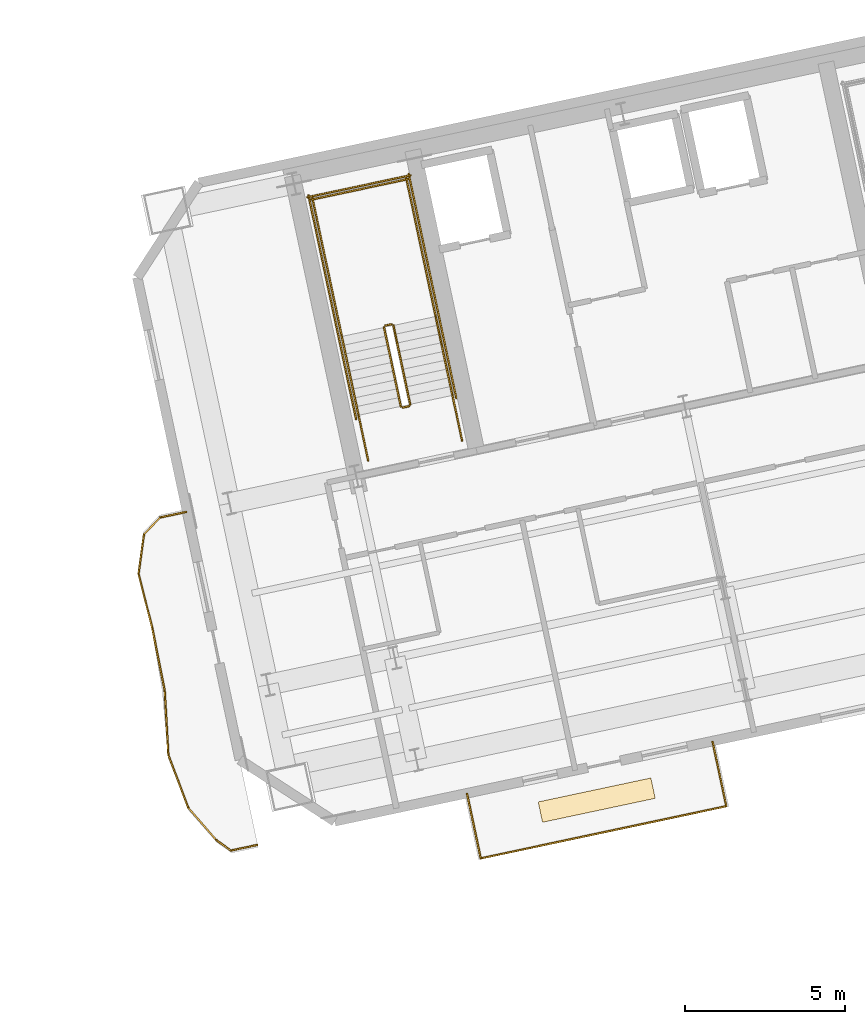
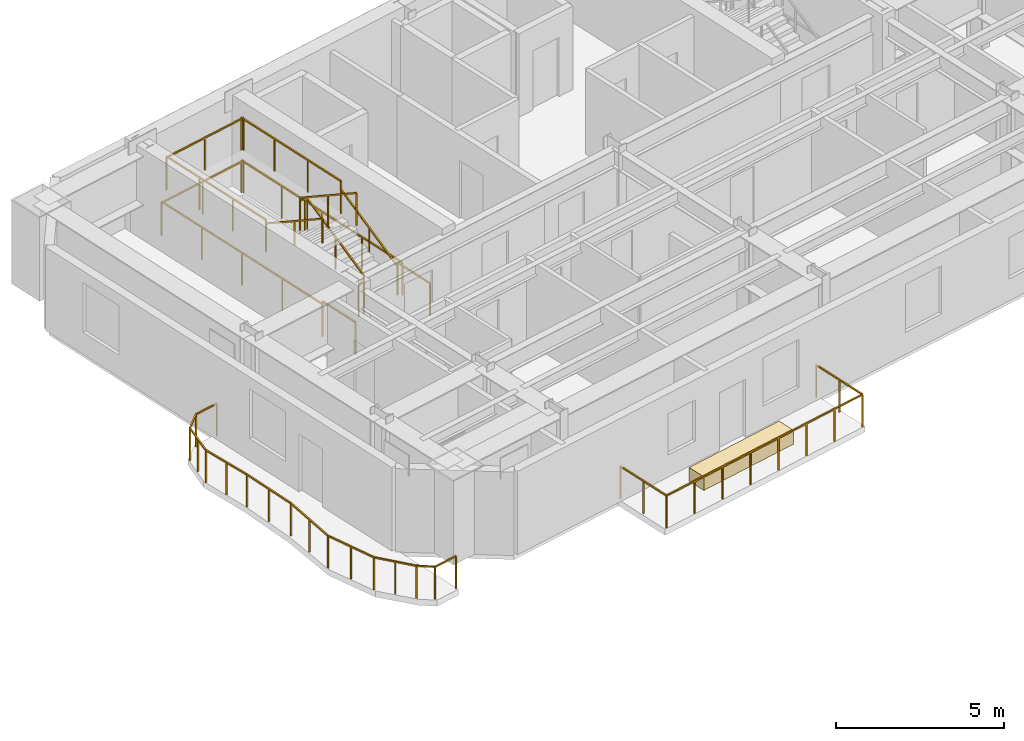
# One storey, part 15 of 16: 27 railings, 1 covering.
"""IFC4 building model written with IfcOpenShell, lengths in metres."""

from ifc_helpers import new_model, si_unit, direction, frame, origin, origin_2d, place, context, subcontext, project, spatial, rectangle, extrude, material, layer, layer_set, type_object, element, save


model = new_model("IFC4")

# Units and contexts
model_context = context("Model", 3, precision=1e-05, world=origin(), true_north=direction((0.0, 1.0)))
body_context = subcontext(model_context, "Body", "Model", "MODEL_VIEW")
ifc_project = project(units=[si_unit("LENGTHUNIT", "METRE"), si_unit("AREAUNIT", "SQUARE_METRE"), si_unit("VOLUMEUNIT", "CUBIC_METRE"), si_unit("PLANEANGLEUNIT", "RADIAN"), si_unit("MASSUNIT", "GRAM", prefix="KILO")], contexts=[model_context])

# Site, building, storey
site_placement = place(None, origin())
site = spatial("IfcSite", under=ifc_project, at=site_placement, CompositionType="ELEMENT")
building_placement = place(site_placement, origin())
building = spatial("IfcBuilding", under=site, at=building_placement, Name="Haevon Station Towers", CompositionType="ELEMENT")
storey_placement = place(building_placement, frame((0.0, 0.0, 172.5)))
storey = spatial("IfcBuildingStorey", under=building, at=storey_placement, Name="L47", CompositionType="ELEMENT", Elevation=172.5)

# Railings
ifc_material_1 = material(Name="Steel S355", Category="steel")
railing_type_1 = type_object("IfcRailingType", Name="GRD-EXT1200", PredefinedType="GUARDRAIL", material=ifc_material_1)
railing_1_placement = place(storey_placement, frame((93.44384765625, 36.33154296875, 0.0)))
element("IfcRailing", 1, at=railing_1_placement, inside=storey, type_object=railing_type_1, Name="L47 Perimeter Guardrail 1", PredefinedType="GUARDRAIL", context=body_context, shape_type="SweptSolid", body=[
    extrude(rectangle(XDim=0.048095703125, YDim=0.048095703125, at=origin_2d()), frame((0.0, 0.0, 1.17578125), z_axis=(-0.977691431104, -0.210046341426, 0.0), x_axis=(0.210046341426, -0.977691431104, 0.0)), (0.0, 0.0, 1.0), 0.838134765625),
    extrude(rectangle(XDim=0.0419921875, YDim=0.0419921875, at=origin_2d()), origin(), (0.0, 0.0, 1.0), 1.15185546875),
    extrude(rectangle(XDim=0.0419921875, YDim=0.0419921875, at=origin_2d()), frame((-0.8193359375, -0.176025390625, 0.0)), (0.0, 0.0, 1.0), 1.15185546875),
])
railing_2_placement = place(storey_placement, frame((92.62451171875, 36.155517578125, 0.0)))
element("IfcRailing", 2, at=railing_2_placement, inside=storey, type_object=railing_type_1, Name="L47 Perimeter Guardrail 2", PredefinedType="GUARDRAIL", context=body_context, shape_type="SweptSolid", body=[
    extrude(rectangle(XDim=0.048095703125, YDim=0.048095703125, at=origin_2d()), frame((0.0, 0.0, 1.17578125), z_axis=(-0.691397132997, -0.722474916162, 0.0), x_axis=(0.722474916162, -0.691397132997, 0.0)), (0.0, 0.0, 1.0), 0.73046875),
    extrude(rectangle(XDim=0.0419921875, YDim=0.0419921875, at=origin_2d()), origin(), (0.0, 0.0, 1.0), 1.15185546875),
    extrude(rectangle(XDim=0.0419921875, YDim=0.0419921875, at=origin_2d()), frame((-0.505126953125, -0.52783203125, 0.0)), (0.0, 0.0, 1.0), 1.15185546875),
])
railing_3_placement = place(storey_placement, frame((92.119384765625, 35.627685546875, 0.0)))
element("IfcRailing", 3, at=railing_3_placement, inside=storey, type_object=railing_type_1, Name="L47 Perimeter Guardrail 3", PredefinedType="GUARDRAIL", context=body_context, shape_type="SweptSolid", body=[
    extrude(rectangle(XDim=0.048095703125, YDim=0.048095703125, at=origin_2d()), frame((0.0, 0.0, 1.17578125), z_axis=(-0.134402916538, -0.990926766228, 0.0), x_axis=(0.990926766228, -0.134402916538, 0.0)), (0.0, 0.0, 1.0), 1.242431640625),
    extrude(rectangle(XDim=0.0419921875, YDim=0.0419921875, at=origin_2d()), origin(), (0.0, 0.0, 1.0), 1.15185546875),
    extrude(rectangle(XDim=0.0419921875, YDim=0.0419921875, at=origin_2d()), frame((-0.08349609375, -0.61572265625, 0.0)), (0.0, 0.0, 1.0), 1.15185546875),
    extrude(rectangle(XDim=0.0419921875, YDim=0.0419921875, at=origin_2d()), frame((-0.1669921875, -1.231201171875, 0.0)), (0.0, 0.0, 1.0), 1.15185546875),
])
railing_4_placement = place(storey_placement, frame((91.952392578125, 34.396484375, 0.0)))
element("IfcRailing", 4, at=railing_4_placement, inside=storey, type_object=railing_type_1, Name="L47 Perimeter Guardrail 4", PredefinedType="GUARDRAIL", context=body_context, shape_type="SweptSolid", body=[
    extrude(rectangle(XDim=0.048095703125, YDim=0.048095703125, at=origin_2d()), frame((0.0, 0.0, 1.17578125), z_axis=(0.243814635362, -0.969821851467, 0.0), x_axis=(0.969821851467, 0.243814635362, 0.0)), (0.0, 0.0, 1.0), 1.751220703125),
    extrude(rectangle(XDim=0.0419921875, YDim=0.0419921875, at=origin_2d()), origin(), (0.0, 0.0, 1.0), 1.15185546875),
    extrude(rectangle(XDim=0.0419921875, YDim=0.0419921875, at=origin_2d()), frame((0.21337890625, -0.84912109375, 0.0)), (0.0, 0.0, 1.0), 1.15185546875),
    extrude(rectangle(XDim=0.0419921875, YDim=0.0419921875, at=origin_2d()), frame((0.427001953125, -1.698486328125, 0.0)), (0.0, 0.0, 1.0), 1.15185546875),
])
railing_5_placement = place(storey_placement, frame((92.37939453125, 32.697998046875, 0.0)))
element("IfcRailing", 5, at=railing_5_placement, inside=storey, type_object=railing_type_1, Name="L47 Perimeter Guardrail 5", PredefinedType="GUARDRAIL", context=body_context, shape_type="SweptSolid", body=[
    extrude(rectangle(XDim=0.048095703125, YDim=0.048095703125, at=origin_2d()), frame((0.0, 0.0, 1.17578125), z_axis=(0.195360913035, -0.980731417697, 0.0), x_axis=(0.980731417697, 0.195360913035, 0.0)), (0.0, 0.0, 1.0), 1.989501953125),
    extrude(rectangle(XDim=0.0419921875, YDim=0.0419921875, at=origin_2d()), origin(), (0.0, 0.0, 1.0), 1.15185546875),
    extrude(rectangle(XDim=0.0419921875, YDim=0.0419921875, at=origin_2d()), frame((0.1943359375, -0.9755859375, 0.0)), (0.0, 0.0, 1.0), 1.15185546875),
    extrude(rectangle(XDim=0.0419921875, YDim=0.0419921875, at=origin_2d()), frame((0.388671875, -1.951171875, 0.0)), (0.0, 0.0, 1.0), 1.15185546875),
])
railing_6_placement = place(storey_placement, frame((92.76806640625, 30.746826171875, 0.0)))
element("IfcRailing", 6, at=railing_6_placement, inside=storey, type_object=railing_type_1, Name="L47 Perimeter Guardrail 6", PredefinedType="GUARDRAIL", context=body_context, shape_type="SweptSolid", body=[
    extrude(rectangle(XDim=0.048095703125, YDim=0.048095703125, at=origin_2d()), frame((0.0, 0.0, 1.17578125), z_axis=(0.056904973514, -0.998379599145, 0.0), x_axis=(0.998379599145, 0.056904973514, 0.0)), (0.0, 0.0, 1.0), 2.016357421875),
    extrude(rectangle(XDim=0.0419921875, YDim=0.0419921875, at=origin_2d()), origin(), (0.0, 0.0, 1.0), 1.15185546875),
    extrude(rectangle(XDim=0.0419921875, YDim=0.0419921875, at=origin_2d()), frame((0.057373046875, -1.006591796875, 0.0)), (0.0, 0.0, 1.0), 1.15185546875),
    extrude(rectangle(XDim=0.0419921875, YDim=0.0419921875, at=origin_2d()), frame((0.11474609375, -2.01318359375, 0.0)), (0.0, 0.0, 1.0), 1.15185546875),
])
railing_7_placement = place(storey_placement, frame((92.8828125, 28.733642578125, 0.0)))
element("IfcRailing", 7, at=railing_7_placement, inside=storey, type_object=railing_type_1, Name="L47 Perimeter Guardrail 7", PredefinedType="GUARDRAIL", context=body_context, shape_type="SweptSolid", body=[
    extrude(rectangle(XDim=0.048095703125, YDim=0.048095703125, at=origin_2d()), frame((0.0, 0.0, 1.17578125), z_axis=(0.353500001833, -0.935434524007, 0.0), x_axis=(0.935434524007, 0.353500001833, 0.0)), (0.0, 0.0, 1.0), 1.7666015625),
    extrude(rectangle(XDim=0.0419921875, YDim=0.0419921875, at=origin_2d()), origin(), (0.0, 0.0, 1.0), 1.15185546875),
    extrude(rectangle(XDim=0.0419921875, YDim=0.0419921875, at=origin_2d()), frame((0.312255859375, -0.826171875, 0.0)), (0.0, 0.0, 1.0), 1.15185546875),
    extrude(rectangle(XDim=0.0419921875, YDim=0.0419921875, at=origin_2d()), frame((0.62451171875, -1.652587890625, 0.0)), (0.0, 0.0, 1.0), 1.15185546875),
])
railing_8_placement = place(storey_placement, frame((93.50732421875, 27.0810546875, 0.0)))
element("IfcRailing", 8, at=railing_8_placement, inside=storey, type_object=railing_type_1, Name="L47 Perimeter Guardrail 8", PredefinedType="GUARDRAIL", context=body_context, shape_type="SweptSolid", body=[
    extrude(rectangle(XDim=0.048095703125, YDim=0.048095703125, at=origin_2d()), frame((0.0, 0.0, 1.17578125), z_axis=(0.654874885336, -0.755737311872, 0.0), x_axis=(0.755737311872, 0.654874885336, 0.0)), (0.0, 0.0, 1.0), 1.336181640625),
    extrude(rectangle(XDim=0.0419921875, YDim=0.0419921875, at=origin_2d()), origin(), (0.0, 0.0, 1.0), 1.15185546875),
    extrude(rectangle(XDim=0.0419921875, YDim=0.0419921875, at=origin_2d()), frame((0.4375, -0.5048828125, 0.0)), (0.0, 0.0, 1.0), 1.15185546875),
    extrude(rectangle(XDim=0.0419921875, YDim=0.0419921875, at=origin_2d()), frame((0.875, -1.009765625, 0.0)), (0.0, 0.0, 1.0), 1.15185546875),
])
railing_9_placement = place(storey_placement, frame((94.38232421875, 26.0712890625, 0.0)))
element("IfcRailing", 9, at=railing_9_placement, inside=storey, type_object=railing_type_1, Name="L47 Perimeter Guardrail 9", PredefinedType="GUARDRAIL", context=body_context, shape_type="SweptSolid", body=[
    extrude(rectangle(XDim=0.048095703125, YDim=0.048095703125, at=origin_2d()), frame((0.0, 0.0, 1.17578125), z_axis=(0.814560283211, -0.580078912748, 0.0), x_axis=(0.580078912748, 0.814560283211, 0.0)), (0.0, 0.0, 1.0), 0.55810546875),
    extrude(rectangle(XDim=0.0419921875, YDim=0.0419921875, at=origin_2d()), origin(), (0.0, 0.0, 1.0), 1.15185546875),
    extrude(rectangle(XDim=0.0419921875, YDim=0.0419921875, at=origin_2d()), frame((0.45458984375, -0.32373046875, 0.0)), (0.0, 0.0, 1.0), 1.15185546875),
])
railing_10_placement = place(storey_placement, frame((94.8369140625, 25.74755859375, 0.0)))
element("IfcRailing", 10, at=railing_10_placement, inside=storey, type_object=railing_type_1, Name="L47 Perimeter Guardrail 10", PredefinedType="GUARDRAIL", context=body_context, shape_type="SweptSolid", body=[
    extrude(rectangle(XDim=0.048095703125, YDim=0.048095703125, at=origin_2d()), frame((0.0, 0.0, 1.17578125), z_axis=(0.978617737227, 0.20568744343, 0.0), x_axis=(-0.20568744343, 0.978617737227, 0.0)), (0.0, 0.0, 1.0), 0.837890625),
    extrude(rectangle(XDim=0.0419921875, YDim=0.0419921875, at=origin_2d()), origin(), (0.0, 0.0, 1.0), 1.15185546875),
    extrude(rectangle(XDim=0.0419921875, YDim=0.0419921875, at=origin_2d()), frame((0.820068359375, 0.17236328125, 0.0)), (0.0, 0.0, 1.0), 1.15185546875),
])
railing_11_placement = place(storey_placement, frame((102.6474609375, 25.501708984375, 0.0)))
element("IfcRailing", 11, at=railing_11_placement, inside=storey, type_object=railing_type_1, Name="L47 Perimeter Guardrail 1", PredefinedType="GUARDRAIL", context=body_context, shape_type="SweptSolid", body=[
    extrude(rectangle(XDim=0.048095703125, YDim=0.048095703125, at=origin_2d()), frame((0.0, 0.0, 1.17578125), z_axis=(0.978148093399, 0.207909372996, 0.0), x_axis=(-0.207909372996, 0.978148093399, 0.0)), (0.0, 0.0, 1.0), 7.84521484375),
    extrude(rectangle(XDim=0.0419921875, YDim=0.0419921875, at=origin_2d()), origin(), (0.0, 0.0, 1.0), 1.15185546875),
    extrude(rectangle(XDim=0.0419921875, YDim=0.0419921875, at=origin_2d()), frame((1.09619140625, 0.23291015625, 0.0)), (0.0, 0.0, 1.0), 1.15185546875),
    extrude(rectangle(XDim=0.0419921875, YDim=0.0419921875, at=origin_2d()), frame((2.192626953125, 0.466064453125, 0.0)), (0.0, 0.0, 1.0), 1.15185546875),
    extrude(rectangle(XDim=0.0419921875, YDim=0.0419921875, at=origin_2d()), frame((3.288818359375, 0.698974609375, 0.0)), (0.0, 0.0, 1.0), 1.15185546875),
    extrude(rectangle(XDim=0.0419921875, YDim=0.0419921875, at=origin_2d()), frame((4.385009765625, 0.93212890625, 0.0)), (0.0, 0.0, 1.0), 1.15185546875),
    extrude(rectangle(XDim=0.0419921875, YDim=0.0419921875, at=origin_2d()), frame((5.481201171875, 1.1650390625, 0.0)), (0.0, 0.0, 1.0), 1.15185546875),
    extrude(rectangle(XDim=0.0419921875, YDim=0.0419921875, at=origin_2d()), frame((6.57763671875, 1.398193359375, 0.0)), (0.0, 0.0, 1.0), 1.15185546875),
    extrude(rectangle(XDim=0.0419921875, YDim=0.0419921875, at=origin_2d()), frame((7.673828125, 1.631103515625, 0.0)), (0.0, 0.0, 1.0), 1.15185546875),
])
railing_12_placement = place(storey_placement, frame((110.3212890625, 27.1328125, 0.0)))
element("IfcRailing", 12, at=railing_12_placement, inside=storey, type_object=railing_type_1, Name="L47 Perimeter Guardrail 2", PredefinedType="GUARDRAIL", context=body_context, shape_type="SweptSolid", body=[
    extrude(rectangle(XDim=0.048095703125, YDim=0.048095703125, at=origin_2d()), frame((0.0, 0.0, 1.17578125), z_axis=(-0.207962507169, 0.978136798005, 0.0), x_axis=(-0.978136798005, -0.207962507169, 0.0)), (0.0, 0.0, 1.0), 2.054443359375),
    extrude(rectangle(XDim=0.0419921875, YDim=0.0419921875, at=origin_2d()), origin(), (0.0, 0.0, 1.0), 1.15185546875),
    extrude(rectangle(XDim=0.0419921875, YDim=0.0419921875, at=origin_2d()), frame((-0.213623046875, 1.0048828125, 0.0)), (0.0, 0.0, 1.0), 1.15185546875),
    extrude(rectangle(XDim=0.0419921875, YDim=0.0419921875, at=origin_2d()), frame((-0.42724609375, 2.009521484375, 0.0)), (0.0, 0.0, 1.0), 1.15185546875),
])
railing_13_placement = place(storey_placement, frame((102.220458984375, 27.51123046875, 0.0)))
element("IfcRailing", 13, at=railing_13_placement, inside=storey, type_object=railing_type_1, Name="L47 Perimeter Guardrail 3", PredefinedType="GUARDRAIL", context=body_context, shape_type="SweptSolid", body=[
    extrude(rectangle(XDim=0.048095703125, YDim=0.048095703125, at=origin_2d()), frame((0.0, 0.0, 1.17578125), z_axis=(0.207848806692, -0.978160965055, 0.0), x_axis=(0.978160965055, 0.207848806692, 0.0)), (0.0, 0.0, 1.0), 2.054443359375),
    extrude(rectangle(XDim=0.0419921875, YDim=0.0419921875, at=origin_2d()), origin(), (0.0, 0.0, 1.0), 1.15185546875),
    extrude(rectangle(XDim=0.0419921875, YDim=0.0419921875, at=origin_2d()), frame((0.21337890625, -1.0048828125, 0.0)), (0.0, 0.0, 1.0), 1.15185546875),
    extrude(rectangle(XDim=0.0419921875, YDim=0.0419921875, at=origin_2d()), frame((0.427001953125, -2.009521484375, 0.0)), (0.0, 0.0, 1.0), 1.15185546875),
])
railing_type_2 = type_object("IfcRailingType", Name="GRD-STR1200", PredefinedType="GUARDRAIL", material=ifc_material_1)
railing_14_placement = place(storey_placement, frame((100.44140625, 39.69287109375, 0.1650390625)))
element("IfcRailing", 14, at=railing_14_placement, inside=storey, type_object=railing_type_2, Name="L47 ST3 Stair Guard 1", PredefinedType="GUARDRAIL", context=body_context, shape_type="SweptSolid", body=[
    extrude(rectangle(XDim=0.048095703125, YDim=0.048095703125, at=origin_2d()), frame((0.0, 0.0, 1.17578125), z_axis=(-0.179128856099, 0.842723639875, 0.507670877349), x_axis=(-0.978147030254, -0.207914374695, 0.0)), (0.0, 0.0, 1.0), 2.9248046875),
    extrude(rectangle(XDim=0.0419921875, YDim=0.0419921875, at=origin_2d()), origin(), (0.0, 0.0, 1.0), 1.15185546875),
    extrude(rectangle(XDim=0.0419921875, YDim=0.0419921875, at=origin_2d()), frame((-0.261962890625, 1.232421875, 0.742431640625)), (0.0, 0.0, 1.0), 1.15185546875),
    extrude(rectangle(XDim=0.0419921875, YDim=0.0419921875, at=origin_2d()), frame((-0.52392578125, 2.46484375, 1.48486328125)), (0.0, 0.0, 1.0), 1.15185546875),
])
railing_15_placement = place(storey_placement, frame((99.858154296875, 42.1962890625, 1.64990234375)))
element("IfcRailing", 15, at=railing_15_placement, inside=storey, type_object=railing_type_2, Name="L47 ST3 Stair Guard 2", PredefinedType="GUARDRAIL", context=body_context, shape_type="SweptSolid", body=[
    extrude(rectangle(XDim=0.048095703125, YDim=0.048095703125, at=origin_2d()), frame((0.0, 0.0, 1.17578125), z_axis=(-0.977962931203, -0.208778603291, 0.0), x_axis=(0.208778603291, -0.977962931203, 0.0)), (0.0, 0.0, 1.0), 0.199951171875),
    extrude(rectangle(XDim=0.0419921875, YDim=0.0419921875, at=origin_2d()), origin(), (0.0, 0.0, 1.0), 1.15185546875),
    extrude(rectangle(XDim=0.0419921875, YDim=0.0419921875, at=origin_2d()), frame((-0.195556640625, -0.041748046875, 0.0)), (0.0, 0.0, 1.0), 1.15185546875),
])
railing_16_placement = place(storey_placement, frame((101.238037109375, 42.4384765625, 1.64990234375)))
element("IfcRailing", 16, at=railing_16_placement, inside=storey, type_object=railing_type_2, Name="L47 ST3 Stair Guard 3", PredefinedType="GUARDRAIL", context=body_context, shape_type="SweptSolid", body=[
    extrude(rectangle(XDim=0.048095703125, YDim=0.048095703125, at=origin_2d()), frame((0.0, 0.0, 1.17578125), z_axis=(-0.20794048909, 0.978141479029, 0.0), x_axis=(-0.978141479029, -0.20794048909, 0.0)), (0.0, 0.0, 1.0), 4.429931640625),
    extrude(rectangle(XDim=0.0419921875, YDim=0.0419921875, at=origin_2d()), origin(), (0.0, 0.0, 1.0), 1.15185546875),
    extrude(rectangle(XDim=0.0419921875, YDim=0.0419921875, at=origin_2d()), frame((-0.30712890625, 1.4443359375, 0.0)), (0.0, 0.0, 1.0), 1.15185546875),
    extrude(rectangle(XDim=0.0419921875, YDim=0.0419921875, at=origin_2d()), frame((-0.614013671875, 2.888671875, 0.0)), (0.0, 0.0, 1.0), 1.15185546875),
    extrude(rectangle(XDim=0.0419921875, YDim=0.0419921875, at=origin_2d()), frame((-0.921142578125, 4.3330078125, 0.0)), (0.0, 0.0, 1.0), 1.15185546875),
])
railing_17_placement = place(storey_placement, frame((98.303466796875, 41.814697265625, 1.64990234375)))
element("IfcRailing", 17, at=railing_17_placement, inside=storey, type_object=railing_type_2, Name="L47 ST3 Stair Guard 4", PredefinedType="GUARDRAIL", context=body_context, shape_type="SweptSolid", body=[
    extrude(rectangle(XDim=0.048095703125, YDim=0.048095703125, at=origin_2d()), frame((0.0, 0.0, 1.17578125), z_axis=(-0.207876551949, 0.978155069071, 0.0), x_axis=(-0.978155069071, -0.207876551949, 0.0)), (0.0, 0.0, 1.0), 4.429931640625),
    extrude(rectangle(XDim=0.0419921875, YDim=0.0419921875, at=origin_2d()), origin(), (0.0, 0.0, 1.0), 1.15185546875),
    extrude(rectangle(XDim=0.0419921875, YDim=0.0419921875, at=origin_2d()), frame((-0.306884765625, 1.4443359375, 0.0)), (0.0, 0.0, 1.0), 1.15185546875),
    extrude(rectangle(XDim=0.0419921875, YDim=0.0419921875, at=origin_2d()), frame((-0.614013671875, 2.888916015625, 0.0)), (0.0, 0.0, 1.0), 1.15185546875),
    extrude(rectangle(XDim=0.0419921875, YDim=0.0419921875, at=origin_2d()), frame((-0.9208984375, 4.333251953125, 0.0)), (0.0, 0.0, 1.0), 1.15185546875),
])
railing_18_placement = place(storey_placement, frame((100.376220703125, 46.733154296875, 1.64990234375)))
element("IfcRailing", 18, at=railing_18_placement, inside=storey, type_object=railing_type_2, Name="L47 ST3 Stair Guard 5", PredefinedType="GUARDRAIL", context=body_context, shape_type="SweptSolid", body=[
    extrude(rectangle(XDim=0.048095703125, YDim=0.048095703125, at=origin_2d()), frame((0.0, 0.0, 1.17578125), z_axis=(-0.978146839882, -0.207915270313, 0.0), x_axis=(0.207915270313, -0.978146839882, 0.0)), (0.0, 0.0, 1.0), 3.099853515625),
    extrude(rectangle(XDim=0.0419921875, YDim=0.0419921875, at=origin_2d()), origin(), (0.0, 0.0, 1.0), 1.15185546875),
    extrude(rectangle(XDim=0.0419921875, YDim=0.0419921875, at=origin_2d()), frame((-1.51611328125, -0.322265625, 0.0)), (0.0, 0.0, 1.0), 1.15185546875),
    extrude(rectangle(XDim=0.0419921875, YDim=0.0419921875, at=origin_2d()), frame((-3.0322265625, -0.64453125, 0.0)), (0.0, 0.0, 1.0), 1.15185546875),
])
railing_19_placement = place(storey_placement, frame((99.6240234375, 42.09521484375, 1.81494140625)))
element("IfcRailing", 19, at=railing_19_placement, inside=storey, type_object=railing_type_2, Name="L47 ST3 Stair Guard 6", PredefinedType="GUARDRAIL", context=body_context, shape_type="SweptSolid", body=[
    extrude(rectangle(XDim=0.048095703125, YDim=0.048095703125, at=origin_2d()), frame((0.0, 0.0, 1.17578125), z_axis=(0.179121265225, -0.842687928106, 0.507732831485), x_axis=(0.978147030254, 0.207914374695, 0.0)), (0.0, 0.0, 1.0), 2.925048828125),
    extrude(rectangle(XDim=0.0419921875, YDim=0.0419921875, at=origin_2d()), origin(), (0.0, 0.0, 1.0), 1.15185546875),
    extrude(rectangle(XDim=0.0419921875, YDim=0.0419921875, at=origin_2d()), frame((0.261962890625, -1.232421875, 0.74267578125)), (0.0, 0.0, 1.0), 1.15185546875),
    extrude(rectangle(XDim=0.0419921875, YDim=0.0419921875, at=origin_2d()), frame((0.52392578125, -2.46484375, 1.485107421875)), (0.0, 0.0, 1.0), 1.15185546875),
])
railing_20_placement = place(storey_placement, frame((100.40283203125, 39.633544921875, 0.0)))
element("IfcRailing", 20, at=railing_20_placement, inside=storey, type_object=railing_type_2, Name="L47 ST3 Stair Guard 7", PredefinedType="GUARDRAIL", context=body_context, shape_type="SweptSolid", body=[
    extrude(rectangle(XDim=0.048095703125, YDim=0.048095703125, at=origin_2d()), frame((0.0, 0.0, 1.17578125), z_axis=(-0.977962931203, -0.208778603291, 0.0), x_axis=(0.208778603291, -0.977962931203, 0.0)), (0.0, 0.0, 1.0), 0.199951171875),
    extrude(rectangle(XDim=0.0419921875, YDim=0.0419921875, at=origin_2d()), origin(), (0.0, 0.0, 1.0), 1.15185546875),
    extrude(rectangle(XDim=0.0419921875, YDim=0.0419921875, at=origin_2d()), frame((-0.195556640625, -0.041748046875, 0.0)), (0.0, 0.0, 1.0), 1.15185546875),
])
for number, where, name in (
    (21, (102.0634765625, 38.55517578125, 0.0), "L47 ST3 Stair Guard 8"),
    (22, (99.12890625, 37.931396484375, 0.0), "L47 ST3 Stair Guard 9"),
):
    element("IfcRailing", number, at=place(storey_placement, frame(where)), inside=storey, type_object=railing_type_2, Name=name, PredefinedType="GUARDRAIL", context=body_context, shape_type="SweptSolid", body=[
        extrude(rectangle(XDim=0.048095703125, YDim=0.048095703125, at=origin_2d()), frame((0.0, 0.0, 1.17578125), z_axis=(-0.207953405961, 0.978138732977, 0.0), x_axis=(-0.978138732977, -0.207953405961, 0.0)), (0.0, 0.0, 1.0), 1.449951171875),
        extrude(rectangle(XDim=0.0419921875, YDim=0.0419921875, at=origin_2d()), origin(), (0.0, 0.0, 1.0), 1.15185546875),
        extrude(rectangle(XDim=0.0419921875, YDim=0.0419921875, at=origin_2d()), frame((-0.301513671875, 1.418212890625, 0.0)), (0.0, 0.0, 1.0), 1.15185546875),
    ])
railing_21_placement = place(storey_placement, frame((101.88037109375, 39.896484375, 0.0)))
element("IfcRailing", 23, at=railing_21_placement, inside=storey, type_object=railing_type_2, Name="L47 ST3 Stair Guard 10", PredefinedType="GUARDRAIL", context=body_context, shape_type="SweptSolid", body=[
    extrude(rectangle(XDim=0.048095703125, YDim=0.048095703125, at=origin_2d()), frame((0.0, 0.0, 1.17578125), z_axis=(-0.207882442208, 0.978153817261, 0.0), x_axis=(-0.978153817261, -0.207882442208, 0.0)), (0.0, 0.0, 1.0), 7.14990234375),
    extrude(rectangle(XDim=0.0419921875, YDim=0.0419921875, at=origin_2d()), origin(), (0.0, 0.0, 1.0), 1.15185546875),
    extrude(rectangle(XDim=0.0419921875, YDim=0.0419921875, at=origin_2d()), frame((-0.37158203125, 1.74853515625, 0.0)), (0.0, 0.0, 1.0), 1.15185546875),
    extrude(rectangle(XDim=0.0419921875, YDim=0.0419921875, at=origin_2d()), frame((-0.7431640625, 3.496826171875, 0.0)), (0.0, 0.0, 1.0), 1.15185546875),
    extrude(rectangle(XDim=0.0419921875, YDim=0.0419921875, at=origin_2d()), frame((-1.11474609375, 5.2451171875, 0.0)), (0.0, 0.0, 1.0), 1.15185546875),
    extrude(rectangle(XDim=0.0419921875, YDim=0.0419921875, at=origin_2d()), frame((-1.486328125, 6.99365234375, 0.0)), (0.0, 0.0, 1.0), 1.15185546875),
])
railing_22_placement = place(storey_placement, frame((98.75048828125, 39.231201171875, 0.0)))
element("IfcRailing", 24, at=railing_22_placement, inside=storey, type_object=railing_type_2, Name="L47 ST3 Stair Guard 11", PredefinedType="GUARDRAIL", context=body_context, shape_type="SweptSolid", body=[
    extrude(rectangle(XDim=0.048095703125, YDim=0.048095703125, at=origin_2d()), frame((0.0, 0.0, 1.17578125), z_axis=(-0.207915112487, 0.978146873429, 0.0), x_axis=(-0.978146873429, -0.207915112487, 0.0)), (0.0, 0.0, 1.0), 7.14990234375),
    extrude(rectangle(XDim=0.0419921875, YDim=0.0419921875, at=origin_2d()), origin(), (0.0, 0.0, 1.0), 1.15185546875),
    extrude(rectangle(XDim=0.0419921875, YDim=0.0419921875, at=origin_2d()), frame((-0.37158203125, 1.74853515625, 0.0)), (0.0, 0.0, 1.0), 1.15185546875),
    extrude(rectangle(XDim=0.0419921875, YDim=0.0419921875, at=origin_2d()), frame((-0.7431640625, 3.496826171875, 0.0)), (0.0, 0.0, 1.0), 1.15185546875),
    extrude(rectangle(XDim=0.0419921875, YDim=0.0419921875, at=origin_2d()), frame((-1.114990234375, 5.2451171875, 0.0)), (0.0, 0.0, 1.0), 1.15185546875),
    extrude(rectangle(XDim=0.0419921875, YDim=0.0419921875, at=origin_2d()), frame((-1.486572265625, 6.99365234375, 0.0)), (0.0, 0.0, 1.0), 1.15185546875),
])
railing_23_placement = place(storey_placement, frame((100.453125, 46.8515625, 0.0)))
element("IfcRailing", 25, at=railing_23_placement, inside=storey, type_object=railing_type_2, Name="L47 ST3 Stair Guard 12", PredefinedType="GUARDRAIL", context=body_context, shape_type="SweptSolid", body=[
    extrude(rectangle(XDim=0.048095703125, YDim=0.048095703125, at=origin_2d()), frame((0.0, 0.0, 1.17578125), z_axis=(-0.978150764849, -0.207896804268, 0.0), x_axis=(0.207896804268, -0.978150764849, 0.0)), (0.0, 0.0, 1.0), 3.2998046875),
    extrude(rectangle(XDim=0.0419921875, YDim=0.0419921875, at=origin_2d()), origin(), (0.0, 0.0, 1.0), 1.15185546875),
    extrude(rectangle(XDim=0.0419921875, YDim=0.0419921875, at=origin_2d()), frame((-1.61376953125, -0.343017578125, 0.0)), (0.0, 0.0, 1.0), 1.15185546875),
    extrude(rectangle(XDim=0.0419921875, YDim=0.0419921875, at=origin_2d()), frame((-3.227783203125, -0.68603515625, 0.0)), (0.0, 0.0, 1.0), 1.15185546875),
])
railing_type_3 = type_object("IfcRailingType", Name="HND-STR900", PredefinedType="HANDRAIL", material=ifc_material_1)
railing_24_placement = place(storey_placement, frame((101.761962890625, 39.973388671875, 0.1650390625)))
element("IfcRailing", 26, at=railing_24_placement, inside=storey, type_object=railing_type_3, Name="L47 ST3 Stair Handrail 1", PredefinedType="HANDRAIL", context=body_context, shape_type="SweptSolid", body=[
    extrude(rectangle(XDim=0.048095703125, YDim=0.048095703125, at=origin_2d()), frame((0.0, 0.0, 0.8759765625), z_axis=(-0.179116256339, 0.842747828638, 0.507635168246), x_axis=(-0.978151217824, -0.207894673017, 0.0)), (0.0, 0.0, 1.0), 2.925048828125),
    extrude(rectangle(XDim=0.0419921875, YDim=0.0419921875, at=origin_2d()), origin(), (0.0, 0.0, 1.0), 0.851806640625),
    extrude(rectangle(XDim=0.0419921875, YDim=0.0419921875, at=origin_2d()), frame((-0.261962890625, 1.232421875, 0.742431640625)), (0.0, 0.0, 1.0), 0.851806640625),
    extrude(rectangle(XDim=0.0419921875, YDim=0.0419921875, at=origin_2d()), frame((-0.52392578125, 2.465087890625, 1.48486328125)), (0.0, 0.0, 1.0), 0.851806640625),
])
railing_25_placement = place(storey_placement, frame((98.303466796875, 41.814697265625, 1.81494140625)))
element("IfcRailing", 27, at=railing_25_placement, inside=storey, type_object=railing_type_3, Name="L47 ST3 Stair Handrail 2", PredefinedType="HANDRAIL", context=body_context, shape_type="SweptSolid", body=[
    extrude(rectangle(XDim=0.048095703125, YDim=0.048095703125, at=origin_2d()), frame((0.0, 0.0, 0.8759765625), z_axis=(0.179108667068, -0.842712120868, 0.50769712105), x_axis=(0.978151217824, 0.207894673017, 0.0)), (0.0, 0.0, 1.0), 2.92529296875),
    extrude(rectangle(XDim=0.0419921875, YDim=0.0419921875, at=origin_2d()), origin(), (0.0, 0.0, 1.0), 0.851806640625),
    extrude(rectangle(XDim=0.0419921875, YDim=0.0419921875, at=origin_2d()), frame((0.261962890625, -1.232421875, 0.74267578125)), (0.0, 0.0, 1.0), 0.851806640625),
    extrude(rectangle(XDim=0.0419921875, YDim=0.0419921875, at=origin_2d()), frame((0.52392578125, -2.465087890625, 1.485107421875)), (0.0, 0.0, 1.0), 0.851806640625),
])

# Covering
ifc_material_2 = material(Name="Architectural planter GRC", Category="concrete")
ifc_layer = layer(ifc_material_2, 0.550048828125)
ifc_layer_set = layer_set([ifc_layer], Name="Architectural planter GRC")
covering_type = type_object("IfcCoveringType", Name="PLN-GRC550", PredefinedType="MOLDING", material=ifc_layer_set)
covering_placement = place(storey_placement, frame((106.270751953125, 27.322021484375, 0.0), z_axis=(0.0, 0.0, 1.0), x_axis=(0.978147600734, 0.207911690818, 0.0)))
element("IfcCovering", 28, at=covering_placement, inside=storey, type_object=covering_type, Name="Tower 2 L47 Facade Trough PLANTER", PredefinedType="MOLDING", context=body_context, shape_type="SweptSolid", body=[
    extrude(rectangle(XDim=3.60009765625, YDim=0.64990234375, at=origin_2d()), origin(), (0.0, 0.0, 1.0), 0.5),
])

save(model, "model.ifc")
